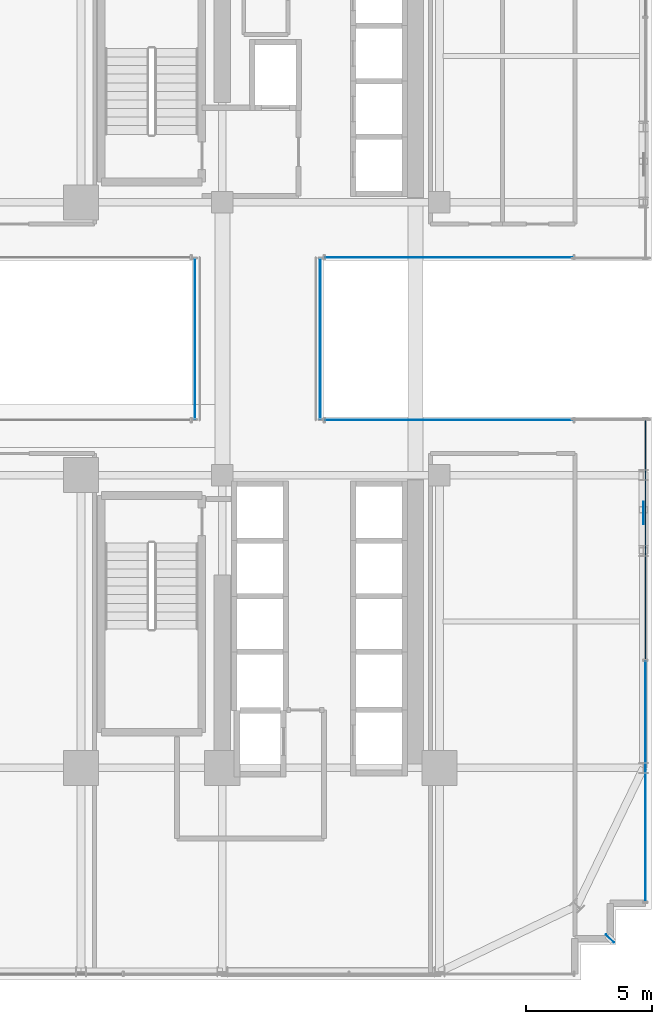
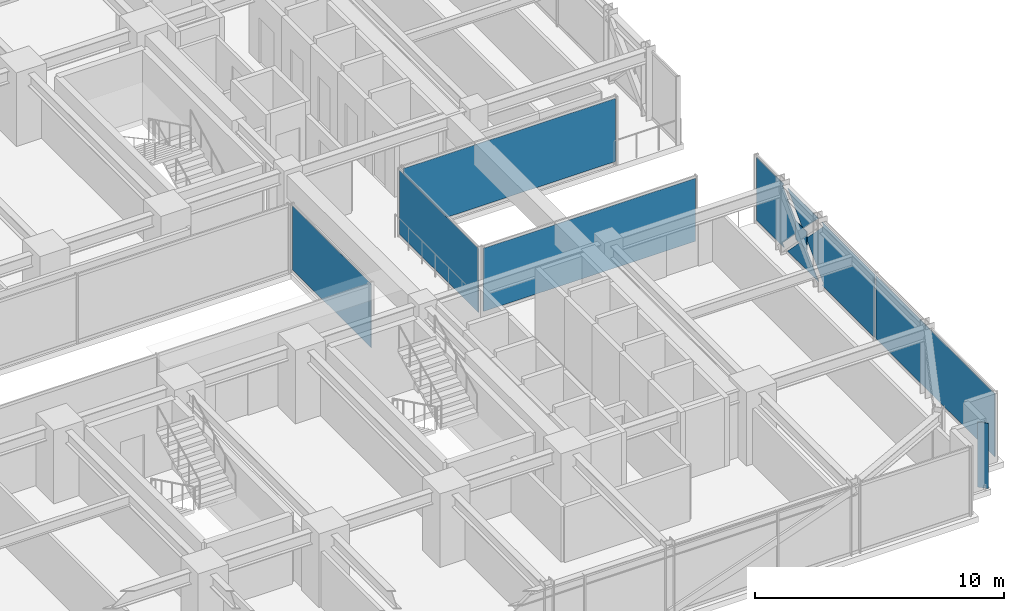
# One storey, part 32 of 43: 8 plates, 5 elements without a shape of their own.
"""IFC4 building model written with IfcOpenShell, lengths in metres."""

from ifc_helpers import new_model, si_unit, direction, frame, origin, origin_2d, place, context, subcontext, project, spatial, polyline, rectangle, outline, extrude, source, transform, mapped, material, layer, layer_set, type_object, element, aggregate, save


model = new_model("IFC4")

# Units and contexts
model_context = context("Model", 3, precision=1e-05, world=origin(), true_north=direction((0.0, 1.0)))
body_context = subcontext(model_context, "Body", "Model", "MODEL_VIEW")
ifc_project = project(units=[si_unit("LENGTHUNIT", "METRE"), si_unit("AREAUNIT", "SQUARE_METRE"), si_unit("VOLUMEUNIT", "CUBIC_METRE"), si_unit("PLANEANGLEUNIT", "RADIAN"), si_unit("MASSUNIT", "GRAM", prefix="KILO")], contexts=[model_context])

# Site, building, storey
site_placement = place(None, origin())
site = spatial("IfcSite", under=ifc_project, at=site_placement, CompositionType="ELEMENT")
building_placement = place(site_placement, origin())
building = spatial("IfcBuilding", under=site, at=building_placement, Name="Nahalor Promenade Grand Hotel", CompositionType="ELEMENT")
storey_placement = place(building_placement, frame((0.0, 0.0, 47.0)))
storey = spatial("IfcBuildingStorey", under=building, at=storey_placement, Name="L10", CompositionType="ELEMENT", Elevation=47.0)

# Curtain wall, plate
ifc_material_1 = material(Name="Anodised Bronze Aluminium EN AW-6063 T6", Category="aluminium")
curtain_wall_type_1 = type_object("IfcCurtainWallType", Name="CW3 Elliptical-Void Collar Unitised Curtain Wall", PredefinedType="USERDEFINED", material=ifc_material_1)
curtain_wall_1_placement = place(storey_placement, origin())
curtain_wall_1 = element("IfcCurtainWall", 1, at=curtain_wall_1_placement, inside=storey, type_object=curtain_wall_type_1, Name="L10 Curtain Wall CW-L10-E-1", ObjectType="UNITISED_CURTAIN_WALL", PredefinedType="USERDEFINED")
ifc_material_2 = material(Name="Low-E Laminated Solar Glass", Category="glass")
ifc_layer_1 = layer(ifc_material_2, 0.030029296875)
ifc_layer_set_1 = layer_set([ifc_layer_1], Name="Low-E Laminated Solar Glass")
plate_type_1 = type_object("IfcPlateType", Name="CWP3 High-Wind Laminated Bronze IGU 30mm", PredefinedType="CURTAIN_PANEL", material=ifc_layer_set_1)
plate_1_placement = place(storey_placement, frame((25.159912109375, -7.9326171875, 0.14013671875), z_axis=(0.0, 0.0, 1.0), x_axis=(0.0, 1.0, 0.0)))
plate_1 = element("IfcPlate", 2, at=plate_1_placement, type_object=plate_type_1, Name="CW-L10-E-1 Glazing Panel 1-0", PredefinedType="CURTAIN_PANEL", context=body_context, shape_type="SweptSolid", body=[
    extrude(outline(polyline([(-4.762451171875, 3.090087890625), (-4.762451171875, 0.0), (-0.492919921875, 0.0), (-0.6279296875, 0.1318359375), (0.7529296875, 1.544921875), (-0.6279296875, 2.9580078125), (-0.492919921875, 3.090087890625), (-4.762451171875, 3.090087890625)])), frame((0.0, 0.01513671875, 0.0), z_axis=(0.0, -1.0, 0.0), x_axis=(1.0, 0.0, 0.0)), (0.0, 0.0, 1.0), 0.030029296875),
    extrude(outline(polyline([(1.032470703125, 1.2587890625), (-0.19775390625, 0.0), (2.2626953125, 0.0), (1.032470703125, 1.2587890625)])), frame((0.0, 0.01513671875, 0.0), z_axis=(0.0, -1.0, 0.0), x_axis=(1.0, 0.0, 0.0)), (0.0, 0.0, 1.0), 0.030029296875),
    extrude(outline(polyline([(1.032470703125, 1.831298828125), (2.2626953125, 3.090087890625), (-0.197509765625, 3.090087890625), (1.032470703125, 1.831298828125)])), frame((0.0, 0.01513671875, 0.0), z_axis=(0.0, -1.0, 0.0), x_axis=(1.0, 0.0, 0.0)), (0.0, 0.0, 1.0), 0.030029296875),
    extrude(outline(polyline([(4.762451171875, 0.0), (4.762451171875, 3.090087890625), (2.55810546875, 3.090087890625), (2.693115234375, 2.9580078125), (1.31201171875, 1.544921875), (2.693115234375, 0.1318359375), (2.55810546875, 0.0), (4.762451171875, 0.0)])), frame((0.0, 0.01513671875, 0.0), z_axis=(0.0, -1.0, 0.0), x_axis=(1.0, 0.0, 0.0)), (0.0, 0.0, 1.0), 0.030029296875),
])

# Plate
ifc_material_3 = material(Name="Steel S355J2", Category="steel")
ifc_layer_2 = layer(ifc_material_3, 0.035888671875)
ifc_layer_set_2 = layer_set([ifc_layer_2], Name="Steel S355J2")
plate_type_2 = type_object("IfcPlateType", Name="Plate-CrossGusset-36", PredefinedType="USERDEFINED", material=ifc_layer_set_2)
shared_shape_1 = source(origin(), body_context, "Body", "SweptSolid", [
    extrude(rectangle(XDim=0.89990234375, YDim=0.035888671875, at=origin_2d()), origin(), (0.0, 0.0, 1.0), 0.89990234375),
])
plate_2_placement = place(storey_placement, frame((25.080078125, -6.89990234375, 1.235107421875), z_axis=(0.0, 0.0, 1.0), x_axis=(0.0, 1.0, 0.0)))
element("IfcPlate", 3, at=plate_2_placement, inside=storey, type_object=plate_type_2, Name="PL-L10-VXX-E0", ObjectType="GUSSET_PLATE", PredefinedType="USERDEFINED", context=body_context, shape_type="MappedRepresentation", body=[
    mapped(shared_shape_1, transform((0.0, 0.0, 0.0), scale=1.0)),
])

# Curtain wall, plate
curtain_wall_2_placement = place(storey_placement, origin())
curtain_wall_2 = element("IfcCurtainWall", 4, at=curtain_wall_2_placement, inside=storey, type_object=curtain_wall_type_1, Name="L10 Curtain Wall CW-L10-VOID-ES1", ObjectType="UNITISED_CURTAIN_WALL", PredefinedType="USERDEFINED")
shared_shape_2 = source(origin(), body_context, "Body", "SweptSolid", [
    extrude(rectangle(XDim=9.820068359375, YDim=0.030029296875, at=origin_2d()), origin(), (0.0, 0.0, 1.0), 3.090087890625),
])
plate_3_placement = place(storey_placement, frame((17.3798828125, -3.219970703125, 0.14013671875), z_axis=(0.0, 0.0, 1.0), x_axis=(1.0, 0.0, 0.0)))
plate_3 = element("IfcPlate", 5, at=plate_3_placement, type_object=plate_type_1, Name="CW-L10-VOID-ES1 Glazing Panel 0-0", PredefinedType="CURTAIN_PANEL", context=body_context, shape_type="MappedRepresentation", body=[
    mapped(shared_shape_2, transform((0.0, 0.0, 0.0), scale=1.0)),
])
aggregate(curtain_wall_2, [plate_3])

curtain_wall_3_placement = place(storey_placement, origin())
curtain_wall_3 = element("IfcCurtainWall", 6, at=curtain_wall_3_placement, inside=storey, type_object=curtain_wall_type_1, Name="L10 Curtain Wall CW-L10-VOID-EN1", ObjectType="UNITISED_CURTAIN_WALL", PredefinedType="USERDEFINED")
plate_4_placement = place(storey_placement, frame((17.3798828125, 3.219970703125, 0.14013671875), z_axis=(0.0, 0.0, 1.0), x_axis=(1.0, 0.0, 0.0)))
plate_4 = element("IfcPlate", 7, at=plate_4_placement, type_object=plate_type_1, Name="CW-L10-VOID-EN1 Glazing Panel 0-0", PredefinedType="CURTAIN_PANEL", context=body_context, shape_type="MappedRepresentation", body=[
    mapped(shared_shape_2, transform((0.0, 0.0, 0.0), scale=1.0)),
])
aggregate(curtain_wall_3, [plate_4])

# Plate
ifc_layer_3 = layer(ifc_material_1, 0.02001953125)
ifc_layer_set_3 = layer_set([ifc_layer_3], Name="Anodised Bronze Aluminium EN AW-6063 T6")
plate_type_3 = type_object("IfcPlateType", Name="Plate-CornerFin-20", PredefinedType="SHEET", material=ifc_layer_set_3)
shared_shape_3 = source(origin(), body_context, "Body", "SweptSolid", [
    extrude(rectangle(XDim=0.449951171875, YDim=0.02001953125, at=origin_2d()), origin(), (0.0, 0.0, 1.0), 3.199951171875),
])
plate_5_placement = place(storey_placement, frame((23.760009765625, -23.760009765625, 0.0), z_axis=(0.0, 0.0, 1.0), x_axis=(-0.707106781187, 0.707106781187, 0.0)))
element("IfcPlate", 8, at=plate_5_placement, inside=storey, type_object=plate_type_3, Name="FIN-L10-SE", PredefinedType="SHEET", context=body_context, shape_type="MappedRepresentation", body=[
    mapped(shared_shape_3, transform((0.0, 0.0, 0.0), scale=1.0)),
])

shared_shape_4 = source(origin(), body_context, "Body", "SweptSolid", [
    extrude(rectangle(XDim=9.52490234375, YDim=0.030029296875, at=origin_2d()), origin(), (0.0, 0.0, 1.0), 3.090087890625),
])
plate_6_placement = place(storey_placement, frame((25.159912109375, -17.527587890625, 0.14013671875), z_axis=(0.0, 0.0, 1.0), x_axis=(0.0, 1.0, 0.0)))
plate_6 = element("IfcPlate", 9, at=plate_6_placement, type_object=plate_type_1, Name="CW-L10-E-1 Glazing Panel 0-0", PredefinedType="CURTAIN_PANEL", context=body_context, shape_type="MappedRepresentation", body=[
    mapped(shared_shape_4, transform((0.0, 0.0, 0.0), scale=1.0)),
])

aggregate(curtain_wall_1, [plate_6, plate_1])

# Curtain wall, plate
curtain_wall_type_2 = type_object("IfcCurtainWallType", Name="CW4 Low-Iron Sky-Gallery Bridge Curtain Wall", PredefinedType="USERDEFINED", material=ifc_material_1)
curtain_wall_4_placement = place(storey_placement, origin())
curtain_wall_4 = element("IfcCurtainWall", 10, at=curtain_wall_4_placement, inside=storey, type_object=curtain_wall_type_2, Name="L10 Curtain Wall CW-L10-BRG-W", ObjectType="UNITISED_CURTAIN_WALL", PredefinedType="USERDEFINED")
ifc_layer_4 = layer(ifc_material_2, 0.02587890625)
ifc_layer_set_4 = layer_set([ifc_layer_4], Name="Low-E Laminated Solar Glass")
plate_type_4 = type_object("IfcPlateType", Name="CWP4 Ultra-Clear Low-Iron Bridge IGU 26mm", PredefinedType="CURTAIN_PANEL", material=ifc_layer_set_4)
shared_shape_5 = source(origin(), body_context, "Body", "SweptSolid", [
    extrude(rectangle(XDim=6.320068359375, YDim=0.02587890625, at=origin_2d()), origin(), (0.0, 0.0, 1.0), 3.1298828125),
])
plate_7_placement = place(storey_placement, frame((7.320068359375, 0.0, 0.1201171875), z_axis=(0.0, 0.0, 1.0), x_axis=(0.0, 1.0, 0.0)))
plate_7 = element("IfcPlate", 11, at=plate_7_placement, type_object=plate_type_4, Name="CW-L10-BRG-W Glazing Panel 0-0", PredefinedType="CURTAIN_PANEL", context=body_context, shape_type="MappedRepresentation", body=[
    mapped(shared_shape_5, transform((0.0, 0.0, 0.0), scale=1.0)),
])
aggregate(curtain_wall_4, [plate_7])

curtain_wall_5_placement = place(storey_placement, origin())
curtain_wall_5 = element("IfcCurtainWall", 12, at=curtain_wall_5_placement, inside=storey, type_object=curtain_wall_type_2, Name="L10 Curtain Wall CW-L10-BRG-E", ObjectType="UNITISED_CURTAIN_WALL", PredefinedType="USERDEFINED")
plate_8_placement = place(storey_placement, frame((12.280029296875, 0.0, 0.1201171875), z_axis=(0.0, 0.0, 1.0), x_axis=(0.0, 1.0, 0.0)))
plate_8 = element("IfcPlate", 13, at=plate_8_placement, type_object=plate_type_4, Name="CW-L10-BRG-E Glazing Panel 0-0", PredefinedType="CURTAIN_PANEL", context=body_context, shape_type="MappedRepresentation", body=[
    mapped(shared_shape_5, transform((0.0, 0.0, 0.0), scale=1.0)),
])
aggregate(curtain_wall_5, [plate_8])

save(model, "model.ifc")
